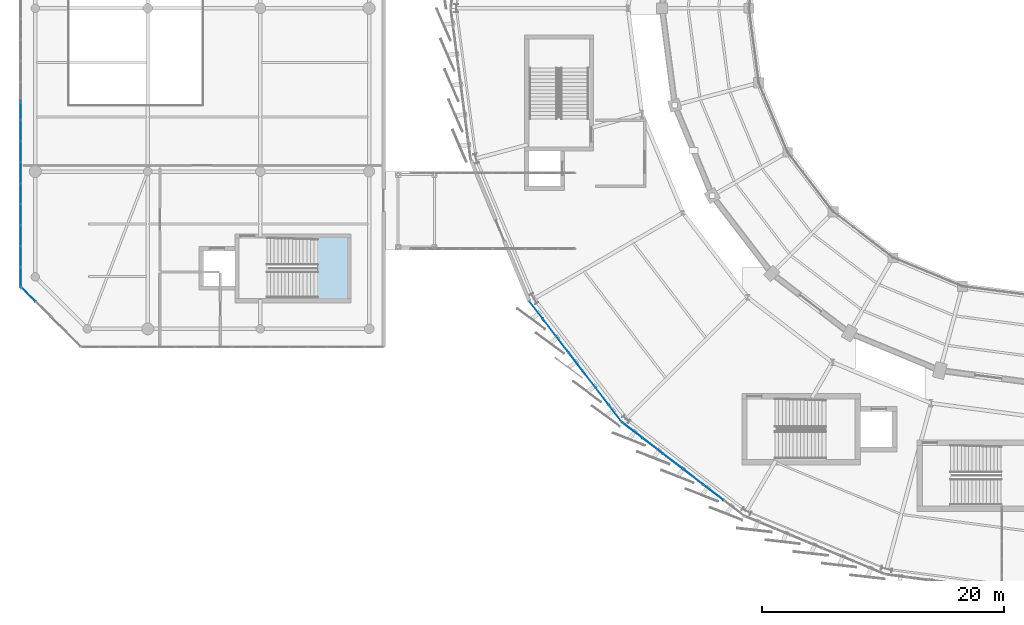
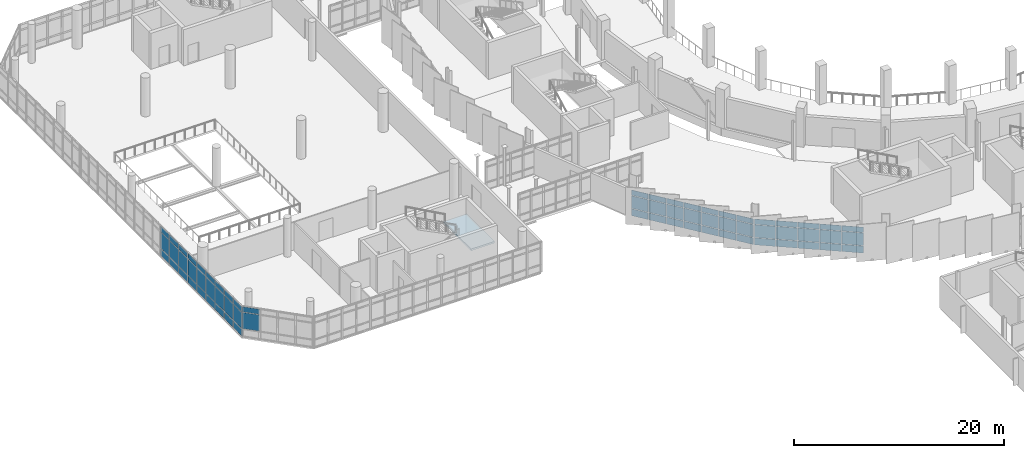
# One storey, part 80 of 125: 65 plates, 1 slab, 5 elements without a shape of their own.
"""IFC4 building model written with IfcOpenShell, lengths in metres."""

from ifc_helpers import new_model, si_unit, direction, frame, origin, origin_2d, place, context, subcontext, project, spatial, polyline, rectangle, outline, extrude, material, layer, layer_set, type_object, element, aggregate, save


model = new_model("IFC4")

# Units and contexts
model_context = context("Model", 3, precision=1e-05, world=origin(), true_north=direction((0.0, 1.0)))
body_context = subcontext(model_context, "Body", "Model", "MODEL_VIEW")
ifc_project = project(units=[si_unit("LENGTHUNIT", "METRE"), si_unit("AREAUNIT", "SQUARE_METRE"), si_unit("VOLUMEUNIT", "CUBIC_METRE"), si_unit("PLANEANGLEUNIT", "RADIAN"), si_unit("MASSUNIT", "GRAM", prefix="KILO")], contexts=[model_context])

# Site, building, storey
site_placement = place(None, origin())
site = spatial("IfcSite", under=ifc_project, at=site_placement, CompositionType="ELEMENT")
building_placement = place(site_placement, origin())
building = spatial("IfcBuilding", under=site, at=building_placement, Name="Sohan Crest Arena", CompositionType="ELEMENT")
storey_placement = place(building_placement, frame((0.0, 0.0, 9.0)))
storey = spatial("IfcBuildingStorey", under=building, at=storey_placement, Name="L02", CompositionType="ELEMENT", Elevation=9.0)

# Curtain wall, plates
ifc_material_1 = material(Name="Thermally broken anodised aluminium", Category="aluminium")
ifc_layer_1 = layer(ifc_material_1, 0.219970703125, Name="Thermally broken anodised aluminium")
ifc_layer_set_1 = layer_set([ifc_layer_1], Name="Thermally broken anodised aluminium")
curtain_wall_type_1 = type_object("IfcCurtainWallType", Name="ARC-CW03", PredefinedType="NOTDEFINED", material=ifc_layer_set_1)
curtain_wall_1_placement = place(storey_placement, origin())
curtain_wall_1 = element("IfcCurtainWall", 1, at=curtain_wall_1_placement, inside=storey, type_object=curtain_wall_type_1, Name="Unitised curtain wall CW-056", PredefinedType="NOTDEFINED")
ifc_material_2 = material(Name="Low-E double-glazed insulated glass", Category="glass")
ifc_layer_2 = layer(ifc_material_2, 0.028076171875, Name="Low-E double-glazed insulated glass")
ifc_layer_set_2 = layer_set([ifc_layer_2], Name="Low-E double-glazed insulated glass")
plate_type_1 = type_object("IfcPlateType", Name="ARC-CNP01", PredefinedType="CURTAIN_PANEL", material=ifc_layer_set_2)
plate_1_placement = place(storey_placement, frame((56.60009765625, 53.04638671875, 0.070068359375), z_axis=(0.0, 0.0, 1.0), x_axis=(0.60879332716, -0.79332886296, 0.0)))
plate_1 = element("IfcPlate", 2, at=plate_1_placement, type_object=plate_type_1, Name="CW-056 panel 1.1", PredefinedType="CURTAIN_PANEL", context=body_context, shape_type="SweptSolid", body=[
    extrude(rectangle(XDim=1.716796875, YDim=0.028076171875, at=origin_2d()), origin(), (0.0, 0.0, 1.0), 0.794921875),
])
plate_2_placement = place(storey_placement, frame((56.60009765625, 53.04638671875, 0.93505859375), z_axis=(0.0, 0.0, 1.0), x_axis=(0.60879332716, -0.79332886296, 0.0)))
plate_2 = element("IfcPlate", 3, at=plate_2_placement, type_object=plate_type_1, Name="CW-056 panel 1.2", PredefinedType="CURTAIN_PANEL", context=body_context, shape_type="SweptSolid", body=[
    extrude(rectangle(XDim=1.716796875, YDim=0.028076171875, at=origin_2d()), origin(), (0.0, 0.0, 1.0), 1.449951171875),
])
plate_3_placement = place(storey_placement, frame((56.60009765625, 53.04638671875, 2.455078125), z_axis=(0.0, 0.0, 1.0), x_axis=(0.60879332716, -0.79332886296, 0.0)))
plate_3 = element("IfcPlate", 4, at=plate_3_placement, type_object=plate_type_1, Name="CW-056 panel 1.3", PredefinedType="CURTAIN_PANEL", context=body_context, shape_type="SweptSolid", body=[
    extrude(rectangle(XDim=1.716796875, YDim=0.028076171875, at=origin_2d()), origin(), (0.0, 0.0, 1.0), 0.594970703125),
])
plate_4_placement = place(storey_placement, frame((57.69091796875, 51.624755859375, 0.070068359375), z_axis=(0.0, 0.0, 1.0), x_axis=(0.60879332716, -0.79332886296, 0.0)))
plate_4 = element("IfcPlate", 5, at=plate_4_placement, type_object=plate_type_1, Name="CW-056 panel 2.1", PredefinedType="CURTAIN_PANEL", context=body_context, shape_type="SweptSolid", body=[
    extrude(rectangle(XDim=1.746826171875, YDim=0.028076171875, at=origin_2d()), origin(), (0.0, 0.0, 1.0), 0.794921875),
])
plate_5_placement = place(storey_placement, frame((57.69091796875, 51.624755859375, 0.93505859375), z_axis=(0.0, 0.0, 1.0), x_axis=(0.60879332716, -0.79332886296, 0.0)))
plate_5 = element("IfcPlate", 6, at=plate_5_placement, type_object=plate_type_1, Name="CW-056 panel 2.2", PredefinedType="CURTAIN_PANEL", context=body_context, shape_type="SweptSolid", body=[
    extrude(rectangle(XDim=1.746826171875, YDim=0.028076171875, at=origin_2d()), origin(), (0.0, 0.0, 1.0), 1.449951171875),
])
plate_6_placement = place(storey_placement, frame((57.69091796875, 51.624755859375, 2.455078125), z_axis=(0.0, 0.0, 1.0), x_axis=(0.60879332716, -0.79332886296, 0.0)))
plate_6 = element("IfcPlate", 7, at=plate_6_placement, type_object=plate_type_1, Name="CW-056 panel 2.3", PredefinedType="CURTAIN_PANEL", context=body_context, shape_type="SweptSolid", body=[
    extrude(rectangle(XDim=1.746826171875, YDim=0.028076171875, at=origin_2d()), origin(), (0.0, 0.0, 1.0), 0.594970703125),
])
plate_7_placement = place(storey_placement, frame((58.791015625, 50.19140625, 0.070068359375), z_axis=(0.0, 0.0, 1.0), x_axis=(0.60879332716, -0.79332886296, 0.0)))
plate_7 = element("IfcPlate", 8, at=plate_7_placement, type_object=plate_type_1, Name="CW-056 panel 3.1", PredefinedType="CURTAIN_PANEL", context=body_context, shape_type="SweptSolid", body=[
    extrude(rectangle(XDim=1.746826171875, YDim=0.028076171875, at=origin_2d()), origin(), (0.0, 0.0, 1.0), 0.794921875),
])
plate_8_placement = place(storey_placement, frame((58.791015625, 50.19140625, 0.93505859375), z_axis=(0.0, 0.0, 1.0), x_axis=(0.60879332716, -0.79332886296, 0.0)))
plate_8 = element("IfcPlate", 9, at=plate_8_placement, type_object=plate_type_1, Name="CW-056 panel 3.2", PredefinedType="CURTAIN_PANEL", context=body_context, shape_type="SweptSolid", body=[
    extrude(rectangle(XDim=1.746826171875, YDim=0.028076171875, at=origin_2d()), origin(), (0.0, 0.0, 1.0), 1.449951171875),
])
plate_9_placement = place(storey_placement, frame((58.791015625, 50.19140625, 2.455078125), z_axis=(0.0, 0.0, 1.0), x_axis=(0.60879332716, -0.79332886296, 0.0)))
plate_9 = element("IfcPlate", 10, at=plate_9_placement, type_object=plate_type_1, Name="CW-056 panel 3.3", PredefinedType="CURTAIN_PANEL", context=body_context, shape_type="SweptSolid", body=[
    extrude(rectangle(XDim=1.746826171875, YDim=0.028076171875, at=origin_2d()), origin(), (0.0, 0.0, 1.0), 0.594970703125),
])
plate_10_placement = place(storey_placement, frame((59.89111328125, 48.758056640625, 0.070068359375), z_axis=(0.0, 0.0, 1.0), x_axis=(0.60879332716, -0.79332886296, 0.0)))
plate_10 = element("IfcPlate", 11, at=plate_10_placement, type_object=plate_type_1, Name="CW-056 panel 4.1", PredefinedType="CURTAIN_PANEL", context=body_context, shape_type="SweptSolid", body=[
    extrude(rectangle(XDim=1.746826171875, YDim=0.028076171875, at=origin_2d()), origin(), (0.0, 0.0, 1.0), 0.794921875),
])
plate_11_placement = place(storey_placement, frame((59.89111328125, 48.758056640625, 0.93505859375), z_axis=(0.0, 0.0, 1.0), x_axis=(0.60879332716, -0.79332886296, 0.0)))
plate_11 = element("IfcPlate", 12, at=plate_11_placement, type_object=plate_type_1, Name="CW-056 panel 4.2", PredefinedType="CURTAIN_PANEL", context=body_context, shape_type="SweptSolid", body=[
    extrude(rectangle(XDim=1.746826171875, YDim=0.028076171875, at=origin_2d()), origin(), (0.0, 0.0, 1.0), 1.449951171875),
])
plate_12_placement = place(storey_placement, frame((59.89111328125, 48.758056640625, 2.455078125), z_axis=(0.0, 0.0, 1.0), x_axis=(0.60879332716, -0.79332886296, 0.0)))
plate_12 = element("IfcPlate", 13, at=plate_12_placement, type_object=plate_type_1, Name="CW-056 panel 4.3", PredefinedType="CURTAIN_PANEL", context=body_context, shape_type="SweptSolid", body=[
    extrude(rectangle(XDim=1.746826171875, YDim=0.028076171875, at=origin_2d()), origin(), (0.0, 0.0, 1.0), 0.594970703125),
])
plate_13_placement = place(storey_placement, frame((60.990966796875, 47.324462890625, 0.070068359375), z_axis=(0.0, 0.0, 1.0), x_axis=(0.60879332716, -0.79332886296, 0.0)))
plate_13 = element("IfcPlate", 14, at=plate_13_placement, type_object=plate_type_1, Name="CW-056 panel 5.1", PredefinedType="CURTAIN_PANEL", context=body_context, shape_type="SweptSolid", body=[
    extrude(rectangle(XDim=1.746826171875, YDim=0.028076171875, at=origin_2d()), origin(), (0.0, 0.0, 1.0), 0.794921875),
])
plate_14_placement = place(storey_placement, frame((60.990966796875, 47.324462890625, 0.93505859375), z_axis=(0.0, 0.0, 1.0), x_axis=(0.60879332716, -0.79332886296, 0.0)))
plate_14 = element("IfcPlate", 15, at=plate_14_placement, type_object=plate_type_1, Name="CW-056 panel 5.2", PredefinedType="CURTAIN_PANEL", context=body_context, shape_type="SweptSolid", body=[
    extrude(rectangle(XDim=1.746826171875, YDim=0.028076171875, at=origin_2d()), origin(), (0.0, 0.0, 1.0), 1.449951171875),
])
plate_15_placement = place(storey_placement, frame((60.990966796875, 47.324462890625, 2.455078125), z_axis=(0.0, 0.0, 1.0), x_axis=(0.60879332716, -0.79332886296, 0.0)))
plate_15 = element("IfcPlate", 16, at=plate_15_placement, type_object=plate_type_1, Name="CW-056 panel 5.3", PredefinedType="CURTAIN_PANEL", context=body_context, shape_type="SweptSolid", body=[
    extrude(rectangle(XDim=1.746826171875, YDim=0.028076171875, at=origin_2d()), origin(), (0.0, 0.0, 1.0), 0.594970703125),
])
plate_16_placement = place(storey_placement, frame((62.091064453125, 45.89111328125, 0.070068359375), z_axis=(0.0, 0.0, 1.0), x_axis=(0.60879332716, -0.79332886296, 0.0)))
plate_16 = element("IfcPlate", 17, at=plate_16_placement, type_object=plate_type_1, Name="CW-056 panel 6.1", PredefinedType="CURTAIN_PANEL", context=body_context, shape_type="SweptSolid", body=[
    extrude(rectangle(XDim=1.746826171875, YDim=0.028076171875, at=origin_2d()), origin(), (0.0, 0.0, 1.0), 0.794921875),
])
plate_17_placement = place(storey_placement, frame((62.091064453125, 45.89111328125, 0.93505859375), z_axis=(0.0, 0.0, 1.0), x_axis=(0.60879332716, -0.79332886296, 0.0)))
plate_17 = element("IfcPlate", 18, at=plate_17_placement, type_object=plate_type_1, Name="CW-056 panel 6.2", PredefinedType="CURTAIN_PANEL", context=body_context, shape_type="SweptSolid", body=[
    extrude(rectangle(XDim=1.746826171875, YDim=0.028076171875, at=origin_2d()), origin(), (0.0, 0.0, 1.0), 1.449951171875),
])
plate_18_placement = place(storey_placement, frame((62.091064453125, 45.89111328125, 2.455078125), z_axis=(0.0, 0.0, 1.0), x_axis=(0.60879332716, -0.79332886296, 0.0)))
plate_18 = element("IfcPlate", 19, at=plate_18_placement, type_object=plate_type_1, Name="CW-056 panel 6.3", PredefinedType="CURTAIN_PANEL", context=body_context, shape_type="SweptSolid", body=[
    extrude(rectangle(XDim=1.746826171875, YDim=0.028076171875, at=origin_2d()), origin(), (0.0, 0.0, 1.0), 0.594970703125),
])
plate_19_placement = place(storey_placement, frame((63.181884765625, 44.4697265625, 0.070068359375), z_axis=(0.0, 0.0, 1.0), x_axis=(0.60879332716, -0.79332886296, 0.0)))
plate_19 = element("IfcPlate", 20, at=plate_19_placement, type_object=plate_type_1, Name="CW-056 panel 7.1", PredefinedType="CURTAIN_PANEL", context=body_context, shape_type="SweptSolid", body=[
    extrude(rectangle(XDim=1.716796875, YDim=0.028076171875, at=origin_2d()), origin(), (0.0, 0.0, 1.0), 0.794921875),
])
plate_20_placement = place(storey_placement, frame((63.181884765625, 44.4697265625, 0.93505859375), z_axis=(0.0, 0.0, 1.0), x_axis=(0.60879332716, -0.79332886296, 0.0)))
plate_20 = element("IfcPlate", 21, at=plate_20_placement, type_object=plate_type_1, Name="CW-056 panel 7.2", PredefinedType="CURTAIN_PANEL", context=body_context, shape_type="SweptSolid", body=[
    extrude(rectangle(XDim=1.716796875, YDim=0.028076171875, at=origin_2d()), origin(), (0.0, 0.0, 1.0), 1.449951171875),
])
plate_21_placement = place(storey_placement, frame((63.181884765625, 44.4697265625, 2.455078125), z_axis=(0.0, 0.0, 1.0), x_axis=(0.60879332716, -0.79332886296, 0.0)))
plate_21 = element("IfcPlate", 22, at=plate_21_placement, type_object=plate_type_1, Name="CW-056 panel 7.3", PredefinedType="CURTAIN_PANEL", context=body_context, shape_type="SweptSolid", body=[
    extrude(rectangle(XDim=1.716796875, YDim=0.028076171875, at=origin_2d()), origin(), (0.0, 0.0, 1.0), 0.594970703125),
])
aggregate(curtain_wall_1, [plate_1, plate_2, plate_3, plate_4, plate_5, plate_6, plate_7, plate_8, plate_9, plate_10, plate_11, plate_12, plate_13, plate_14, plate_15, plate_16, plate_17, plate_18, plate_19, plate_20, plate_21])

curtain_wall_2_placement = place(storey_placement, origin())
curtain_wall_2 = element("IfcCurtainWall", 23, at=curtain_wall_2_placement, inside=storey, type_object=curtain_wall_type_1, Name="Unitised curtain wall CW-218", PredefinedType="NOTDEFINED")
plate_22_placement = place(storey_placement, frame((14.0, 69.596923828125, 0.06494140625), z_axis=(0.0, 0.0, 1.0), x_axis=(0.0, -1.0, 0.0)))
plate_22 = element("IfcPlate", 24, at=plate_22_placement, type_object=plate_type_1, Name="CW-218 panel 1.1", PredefinedType="CURTAIN_PANEL", context=body_context, shape_type="SweptSolid", body=[
    extrude(rectangle(XDim=1.632080078125, YDim=0.028076171875, at=origin_2d()), origin(), (0.0, 0.0, 1.0), 0.802490234375),
])
plate_23_placement = place(storey_placement, frame((14.0, 69.596923828125, 0.9326171875), z_axis=(0.0, 0.0, 1.0), x_axis=(0.0, -1.0, 0.0)))
plate_23 = element("IfcPlate", 25, at=plate_23_placement, type_object=plate_type_1, Name="CW-218 panel 1.2", PredefinedType="CURTAIN_PANEL", context=body_context, shape_type="SweptSolid", body=[
    extrude(rectangle(XDim=1.632080078125, YDim=0.028076171875, at=origin_2d()), origin(), (0.0, 0.0, 1.0), 1.885009765625),
])
plate_24_placement = place(storey_placement, frame((14.0, 69.596923828125, 2.882568359375), z_axis=(0.0, 0.0, 1.0), x_axis=(0.0, -1.0, 0.0)))
plate_24 = element("IfcPlate", 26, at=plate_24_placement, type_object=plate_type_1, Name="CW-218 panel 1.3", PredefinedType="CURTAIN_PANEL", context=body_context, shape_type="SweptSolid", body=[
    extrude(rectangle(XDim=1.632080078125, YDim=0.028076171875, at=origin_2d()), origin(), (0.0, 0.0, 1.0), 0.6025390625),
])
plate_25_placement = place(storey_placement, frame((14.0, 67.87744140625, 0.06494140625), z_axis=(0.0, 0.0, 1.0), x_axis=(0.0, -1.0, 0.0)))
plate_25 = element("IfcPlate", 27, at=plate_25_placement, type_object=plate_type_1, Name="CW-218 panel 2.1", PredefinedType="CURTAIN_PANEL", context=body_context, shape_type="SweptSolid", body=[
    extrude(rectangle(XDim=1.6669921875, YDim=0.028076171875, at=origin_2d()), origin(), (0.0, 0.0, 1.0), 0.802490234375),
])
plate_26_placement = place(storey_placement, frame((14.0, 67.87744140625, 0.9326171875), z_axis=(0.0, 0.0, 1.0), x_axis=(0.0, -1.0, 0.0)))
plate_26 = element("IfcPlate", 28, at=plate_26_placement, type_object=plate_type_1, Name="CW-218 panel 2.2", PredefinedType="CURTAIN_PANEL", context=body_context, shape_type="SweptSolid", body=[
    extrude(rectangle(XDim=1.6669921875, YDim=0.028076171875, at=origin_2d()), origin(), (0.0, 0.0, 1.0), 1.885009765625),
])
plate_27_placement = place(storey_placement, frame((14.0, 67.87744140625, 2.882568359375), z_axis=(0.0, 0.0, 1.0), x_axis=(0.0, -1.0, 0.0)))
plate_27 = element("IfcPlate", 29, at=plate_27_placement, type_object=plate_type_1, Name="CW-218 panel 2.3", PredefinedType="CURTAIN_PANEL", context=body_context, shape_type="SweptSolid", body=[
    extrude(rectangle(XDim=1.6669921875, YDim=0.028076171875, at=origin_2d()), origin(), (0.0, 0.0, 1.0), 0.6025390625),
])
plate_28_placement = place(storey_placement, frame((14.0, 66.140380859375, 0.06494140625), z_axis=(0.0, 0.0, 1.0), x_axis=(0.0, -1.0, 0.0)))
plate_28 = element("IfcPlate", 30, at=plate_28_placement, type_object=plate_type_1, Name="CW-218 panel 3.1", PredefinedType="CURTAIN_PANEL", context=body_context, shape_type="SweptSolid", body=[
    extrude(rectangle(XDim=1.6669921875, YDim=0.028076171875, at=origin_2d()), origin(), (0.0, 0.0, 1.0), 0.802490234375),
])
plate_29_placement = place(storey_placement, frame((14.0, 66.140380859375, 0.9326171875), z_axis=(0.0, 0.0, 1.0), x_axis=(0.0, -1.0, 0.0)))
plate_29 = element("IfcPlate", 31, at=plate_29_placement, type_object=plate_type_1, Name="CW-218 panel 3.2", PredefinedType="CURTAIN_PANEL", context=body_context, shape_type="SweptSolid", body=[
    extrude(rectangle(XDim=1.6669921875, YDim=0.028076171875, at=origin_2d()), origin(), (0.0, 0.0, 1.0), 1.885009765625),
])
plate_30_placement = place(storey_placement, frame((14.0, 66.140380859375, 2.882568359375), z_axis=(0.0, 0.0, 1.0), x_axis=(0.0, -1.0, 0.0)))
plate_30 = element("IfcPlate", 32, at=plate_30_placement, type_object=plate_type_1, Name="CW-218 panel 3.3", PredefinedType="CURTAIN_PANEL", context=body_context, shape_type="SweptSolid", body=[
    extrude(rectangle(XDim=1.6669921875, YDim=0.028076171875, at=origin_2d()), origin(), (0.0, 0.0, 1.0), 0.6025390625),
])
plate_31_placement = place(storey_placement, frame((14.0, 64.403564453125, 0.06494140625), z_axis=(0.0, 0.0, 1.0), x_axis=(0.0, -1.0, 0.0)))
plate_31 = element("IfcPlate", 33, at=plate_31_placement, type_object=plate_type_1, Name="CW-218 panel 4.1", PredefinedType="CURTAIN_PANEL", context=body_context, shape_type="SweptSolid", body=[
    extrude(rectangle(XDim=1.6669921875, YDim=0.028076171875, at=origin_2d()), origin(), (0.0, 0.0, 1.0), 0.802490234375),
])
plate_32_placement = place(storey_placement, frame((14.0, 64.403564453125, 0.9326171875), z_axis=(0.0, 0.0, 1.0), x_axis=(0.0, -1.0, 0.0)))
plate_32 = element("IfcPlate", 34, at=plate_32_placement, type_object=plate_type_1, Name="CW-218 panel 4.2", PredefinedType="CURTAIN_PANEL", context=body_context, shape_type="SweptSolid", body=[
    extrude(rectangle(XDim=1.6669921875, YDim=0.028076171875, at=origin_2d()), origin(), (0.0, 0.0, 1.0), 1.885009765625),
])
plate_33_placement = place(storey_placement, frame((14.0, 64.403564453125, 2.882568359375), z_axis=(0.0, 0.0, 1.0), x_axis=(0.0, -1.0, 0.0)))
plate_33 = element("IfcPlate", 35, at=plate_33_placement, type_object=plate_type_1, Name="CW-218 panel 4.3", PredefinedType="CURTAIN_PANEL", context=body_context, shape_type="SweptSolid", body=[
    extrude(rectangle(XDim=1.6669921875, YDim=0.028076171875, at=origin_2d()), origin(), (0.0, 0.0, 1.0), 0.6025390625),
])
plate_34_placement = place(storey_placement, frame((14.0, 62.66650390625, 0.06494140625), z_axis=(0.0, 0.0, 1.0), x_axis=(0.0, -1.0, 0.0)))
plate_34 = element("IfcPlate", 36, at=plate_34_placement, type_object=plate_type_1, Name="CW-218 panel 5.1", PredefinedType="CURTAIN_PANEL", context=body_context, shape_type="SweptSolid", body=[
    extrude(rectangle(XDim=1.6669921875, YDim=0.028076171875, at=origin_2d()), origin(), (0.0, 0.0, 1.0), 0.802490234375),
])
plate_35_placement = place(storey_placement, frame((14.0, 62.66650390625, 0.9326171875), z_axis=(0.0, 0.0, 1.0), x_axis=(0.0, -1.0, 0.0)))
plate_35 = element("IfcPlate", 37, at=plate_35_placement, type_object=plate_type_1, Name="CW-218 panel 5.2", PredefinedType="CURTAIN_PANEL", context=body_context, shape_type="SweptSolid", body=[
    extrude(rectangle(XDim=1.6669921875, YDim=0.028076171875, at=origin_2d()), origin(), (0.0, 0.0, 1.0), 1.885009765625),
])
plate_36_placement = place(storey_placement, frame((14.0, 62.66650390625, 2.882568359375), z_axis=(0.0, 0.0, 1.0), x_axis=(0.0, -1.0, 0.0)))
plate_36 = element("IfcPlate", 38, at=plate_36_placement, type_object=plate_type_1, Name="CW-218 panel 5.3", PredefinedType="CURTAIN_PANEL", context=body_context, shape_type="SweptSolid", body=[
    extrude(rectangle(XDim=1.6669921875, YDim=0.028076171875, at=origin_2d()), origin(), (0.0, 0.0, 1.0), 0.6025390625),
])
plate_37_placement = place(storey_placement, frame((14.0, 60.929443359375, 0.06494140625), z_axis=(0.0, 0.0, 1.0), x_axis=(0.0, -1.0, 0.0)))
plate_37 = element("IfcPlate", 39, at=plate_37_placement, type_object=plate_type_1, Name="CW-218 panel 6.1", PredefinedType="CURTAIN_PANEL", context=body_context, shape_type="SweptSolid", body=[
    extrude(rectangle(XDim=1.6669921875, YDim=0.028076171875, at=origin_2d()), origin(), (0.0, 0.0, 1.0), 0.802490234375),
])
plate_38_placement = place(storey_placement, frame((14.0, 60.929443359375, 0.9326171875), z_axis=(0.0, 0.0, 1.0), x_axis=(0.0, -1.0, 0.0)))
plate_38 = element("IfcPlate", 40, at=plate_38_placement, type_object=plate_type_1, Name="CW-218 panel 6.2", PredefinedType="CURTAIN_PANEL", context=body_context, shape_type="SweptSolid", body=[
    extrude(rectangle(XDim=1.6669921875, YDim=0.028076171875, at=origin_2d()), origin(), (0.0, 0.0, 1.0), 1.885009765625),
])
plate_39_placement = place(storey_placement, frame((14.0, 60.929443359375, 2.882568359375), z_axis=(0.0, 0.0, 1.0), x_axis=(0.0, -1.0, 0.0)))
plate_39 = element("IfcPlate", 41, at=plate_39_placement, type_object=plate_type_1, Name="CW-218 panel 6.3", PredefinedType="CURTAIN_PANEL", context=body_context, shape_type="SweptSolid", body=[
    extrude(rectangle(XDim=1.6669921875, YDim=0.028076171875, at=origin_2d()), origin(), (0.0, 0.0, 1.0), 0.6025390625),
])
plate_40_placement = place(storey_placement, frame((14.0, 59.1923828125, 0.06494140625), z_axis=(0.0, 0.0, 1.0), x_axis=(0.0, -1.0, 0.0)))
plate_40 = element("IfcPlate", 42, at=plate_40_placement, type_object=plate_type_1, Name="CW-218 panel 7.1", PredefinedType="CURTAIN_PANEL", context=body_context, shape_type="SweptSolid", body=[
    extrude(rectangle(XDim=1.6669921875, YDim=0.028076171875, at=origin_2d()), origin(), (0.0, 0.0, 1.0), 0.802490234375),
])
plate_41_placement = place(storey_placement, frame((14.0, 59.1923828125, 0.9326171875), z_axis=(0.0, 0.0, 1.0), x_axis=(0.0, -1.0, 0.0)))
plate_41 = element("IfcPlate", 43, at=plate_41_placement, type_object=plate_type_1, Name="CW-218 panel 7.2", PredefinedType="CURTAIN_PANEL", context=body_context, shape_type="SweptSolid", body=[
    extrude(rectangle(XDim=1.6669921875, YDim=0.028076171875, at=origin_2d()), origin(), (0.0, 0.0, 1.0), 1.885009765625),
])
plate_42_placement = place(storey_placement, frame((14.0, 59.1923828125, 2.882568359375), z_axis=(0.0, 0.0, 1.0), x_axis=(0.0, -1.0, 0.0)))
plate_42 = element("IfcPlate", 44, at=plate_42_placement, type_object=plate_type_1, Name="CW-218 panel 7.3", PredefinedType="CURTAIN_PANEL", context=body_context, shape_type="SweptSolid", body=[
    extrude(rectangle(XDim=1.6669921875, YDim=0.028076171875, at=origin_2d()), origin(), (0.0, 0.0, 1.0), 0.6025390625),
])
plate_43_placement = place(storey_placement, frame((14.0, 57.45556640625, 0.06494140625), z_axis=(0.0, 0.0, 1.0), x_axis=(0.0, -1.0, 0.0)))
plate_43 = element("IfcPlate", 45, at=plate_43_placement, type_object=plate_type_1, Name="CW-218 panel 8.1", PredefinedType="CURTAIN_PANEL", context=body_context, shape_type="SweptSolid", body=[
    extrude(rectangle(XDim=1.6669921875, YDim=0.028076171875, at=origin_2d()), origin(), (0.0, 0.0, 1.0), 0.802490234375),
])
plate_44_placement = place(storey_placement, frame((14.0, 57.45556640625, 0.9326171875), z_axis=(0.0, 0.0, 1.0), x_axis=(0.0, -1.0, 0.0)))
plate_44 = element("IfcPlate", 46, at=plate_44_placement, type_object=plate_type_1, Name="CW-218 panel 8.2", PredefinedType="CURTAIN_PANEL", context=body_context, shape_type="SweptSolid", body=[
    extrude(rectangle(XDim=1.6669921875, YDim=0.028076171875, at=origin_2d()), origin(), (0.0, 0.0, 1.0), 1.885009765625),
])
plate_45_placement = place(storey_placement, frame((14.0, 57.45556640625, 2.882568359375), z_axis=(0.0, 0.0, 1.0), x_axis=(0.0, -1.0, 0.0)))
plate_45 = element("IfcPlate", 47, at=plate_45_placement, type_object=plate_type_1, Name="CW-218 panel 8.3", PredefinedType="CURTAIN_PANEL", context=body_context, shape_type="SweptSolid", body=[
    extrude(rectangle(XDim=1.6669921875, YDim=0.028076171875, at=origin_2d()), origin(), (0.0, 0.0, 1.0), 0.6025390625),
])
plate_46_placement = place(storey_placement, frame((14.0, 55.736083984375, 0.06494140625), z_axis=(0.0, 0.0, 1.0), x_axis=(0.0, -1.0, 0.0)))
plate_46 = element("IfcPlate", 48, at=plate_46_placement, type_object=plate_type_1, Name="CW-218 panel 9.1", PredefinedType="CURTAIN_PANEL", context=body_context, shape_type="SweptSolid", body=[
    extrude(rectangle(XDim=1.632080078125, YDim=0.028076171875, at=origin_2d()), origin(), (0.0, 0.0, 1.0), 0.802490234375),
])
plate_47_placement = place(storey_placement, frame((14.0, 55.736083984375, 0.9326171875), z_axis=(0.0, 0.0, 1.0), x_axis=(0.0, -1.0, 0.0)))
plate_47 = element("IfcPlate", 49, at=plate_47_placement, type_object=plate_type_1, Name="CW-218 panel 9.2", PredefinedType="CURTAIN_PANEL", context=body_context, shape_type="SweptSolid", body=[
    extrude(rectangle(XDim=1.632080078125, YDim=0.028076171875, at=origin_2d()), origin(), (0.0, 0.0, 1.0), 1.885009765625),
])
plate_48_placement = place(storey_placement, frame((14.0, 55.736083984375, 2.882568359375), z_axis=(0.0, 0.0, 1.0), x_axis=(0.0, -1.0, 0.0)))
plate_48 = element("IfcPlate", 50, at=plate_48_placement, type_object=plate_type_1, Name="CW-218 panel 9.3", PredefinedType="CURTAIN_PANEL", context=body_context, shape_type="SweptSolid", body=[
    extrude(rectangle(XDim=1.632080078125, YDim=0.028076171875, at=origin_2d()), origin(), (0.0, 0.0, 1.0), 0.6025390625),
])
aggregate(curtain_wall_2, [plate_22, plate_23, plate_24, plate_25, plate_26, plate_27, plate_28, plate_29, plate_30, plate_31, plate_32, plate_33, plate_34, plate_35, plate_36, plate_37, plate_38, plate_39, plate_40, plate_41, plate_42, plate_43, plate_44, plate_45, plate_46, plate_47, plate_48])

ifc_layer_3 = layer(ifc_material_1, 0.199951171875, Name="Thermally broken anodised aluminium")
ifc_layer_set_3 = layer_set([ifc_layer_3], Name="Thermally broken anodised aluminium")
curtain_wall_type_2 = type_object("IfcCurtainWallType", Name="ARC-CW02", PredefinedType="NOTDEFINED", material=ifc_layer_set_3)
curtain_wall_3_placement = place(storey_placement, origin())
curtain_wall_3 = element("IfcCurtainWall", 51, at=curtain_wall_3_placement, inside=storey, type_object=curtain_wall_type_2, Name="Unitised curtain wall CW-219", PredefinedType="NOTDEFINED")
plate_49_placement = place(storey_placement, frame((14.636474609375, 54.363525390625, 0.93017578125), z_axis=(0.0, 0.0, 1.0), x_axis=(0.707106781187, -0.707106781187, 0.0)))
plate_49 = element("IfcPlate", 52, at=plate_49_placement, type_object=plate_type_1, Name="CW-219 panel 1.2", PredefinedType="CURTAIN_PANEL", context=body_context, shape_type="SweptSolid", body=[
    extrude(rectangle(XDim=1.670166015625, YDim=0.028076171875, at=origin_2d()), origin(), (0.0, 0.0, 1.0), 1.889892578125),
])
plate_50_placement = place(storey_placement, frame((14.636474609375, 54.363525390625, 2.8798828125), z_axis=(0.0, 0.0, 1.0), x_axis=(0.707106781187, -0.707106781187, 0.0)))
plate_50 = element("IfcPlate", 53, at=plate_50_placement, type_object=plate_type_1, Name="CW-219 panel 1.3", PredefinedType="CURTAIN_PANEL", context=body_context, shape_type="SweptSolid", body=[
    extrude(rectangle(XDim=1.670166015625, YDim=0.028076171875, at=origin_2d()), origin(), (0.0, 0.0, 1.0), 0.610107421875),
])
aggregate(curtain_wall_3, [plate_49, plate_50])

ifc_layer_4 = layer(ifc_material_1, 0.239990234375, Name="Thermally broken anodised aluminium")
ifc_layer_set_4 = layer_set([ifc_layer_4], Name="Thermally broken anodised aluminium")
curtain_wall_type_3 = type_object("IfcCurtainWallType", Name="ARC-CW04", PredefinedType="NOTDEFINED", material=ifc_layer_set_4)
curtain_wall_4_placement = place(storey_placement, origin())
curtain_wall_4 = element("IfcCurtainWall", 54, at=curtain_wall_4_placement, inside=storey, type_object=curtain_wall_type_3, Name="Unitised curtain wall CW-057", PredefinedType="NOTDEFINED")
ifc_layer_5 = layer(ifc_material_2, 0.031982421875, Name="Low-E double-glazed insulated glass")
ifc_layer_set_5 = layer_set([ifc_layer_5], Name="Low-E double-glazed insulated glass")
plate_type_2 = type_object("IfcPlateType", Name="ARC-CNP02", PredefinedType="CURTAIN_PANEL", material=ifc_layer_set_5)
plate_51_placement = place(storey_placement, frame((64.590087890625, 43.08935546875, 0.06005859375), z_axis=(0.0, 0.0, 1.0), x_axis=(0.79332886296, -0.60879332716, 0.0)))
plate_51 = element("IfcPlate", 55, at=plate_51_placement, type_object=plate_type_2, Name="CW-057 panel 1.1", PredefinedType="CURTAIN_PANEL", context=body_context, shape_type="SweptSolid", body=[
    extrude(rectangle(XDim=2.010498046875, YDim=0.031982421875, at=origin_2d()), origin(), (0.0, 0.0, 1.0), 0.81005859375),
])
plate_52_placement = place(storey_placement, frame((64.590087890625, 43.08935546875, 0.929931640625), z_axis=(0.0, 0.0, 1.0), x_axis=(0.79332886296, -0.60879332716, 0.0)))
plate_52 = element("IfcPlate", 56, at=plate_52_placement, type_object=plate_type_2, Name="CW-057 panel 1.2", PredefinedType="CURTAIN_PANEL", context=body_context, shape_type="SweptSolid", body=[
    extrude(rectangle(XDim=2.010498046875, YDim=0.031982421875, at=origin_2d()), origin(), (0.0, 0.0, 1.0), 1.4599609375),
])
plate_53_placement = place(storey_placement, frame((64.590087890625, 43.08935546875, 2.44970703125), z_axis=(0.0, 0.0, 1.0), x_axis=(0.79332886296, -0.60879332716, 0.0)))
plate_53 = element("IfcPlate", 57, at=plate_53_placement, type_object=plate_type_2, Name="CW-057 panel 1.3", PredefinedType="CURTAIN_PANEL", context=body_context, shape_type="SweptSolid", body=[
    extrude(rectangle(XDim=2.010498046875, YDim=0.031982421875, at=origin_2d()), origin(), (0.0, 0.0, 1.0), 0.610107421875),
])
plate_54_placement = place(storey_placement, frame((66.24951171875, 41.81591796875, 0.06005859375), z_axis=(0.0, 0.0, 1.0), x_axis=(0.79332886296, -0.60879332716, 0.0)))
plate_54 = element("IfcPlate", 58, at=plate_54_placement, type_object=plate_type_2, Name="CW-057 panel 2.1", PredefinedType="CURTAIN_PANEL", context=body_context, shape_type="SweptSolid", body=[
    extrude(rectangle(XDim=2.04296875, YDim=0.031982421875, at=origin_2d()), origin(), (0.0, 0.0, 1.0), 0.81005859375),
])
plate_55_placement = place(storey_placement, frame((66.24951171875, 41.81591796875, 0.929931640625), z_axis=(0.0, 0.0, 1.0), x_axis=(0.79332886296, -0.60879332716, 0.0)))
plate_55 = element("IfcPlate", 59, at=plate_55_placement, type_object=plate_type_2, Name="CW-057 panel 2.2", PredefinedType="CURTAIN_PANEL", context=body_context, shape_type="SweptSolid", body=[
    extrude(rectangle(XDim=2.04296875, YDim=0.031982421875, at=origin_2d()), origin(), (0.0, 0.0, 1.0), 1.4599609375),
])
plate_56_placement = place(storey_placement, frame((66.24951171875, 41.81591796875, 2.44970703125), z_axis=(0.0, 0.0, 1.0), x_axis=(0.79332886296, -0.60879332716, 0.0)))
plate_56 = element("IfcPlate", 60, at=plate_56_placement, type_object=plate_type_2, Name="CW-057 panel 2.3", PredefinedType="CURTAIN_PANEL", context=body_context, shape_type="SweptSolid", body=[
    extrude(rectangle(XDim=2.04296875, YDim=0.031982421875, at=origin_2d()), origin(), (0.0, 0.0, 1.0), 0.610107421875),
])
plate_57_placement = place(storey_placement, frame((67.921875, 40.53271484375, 0.06005859375), z_axis=(0.0, 0.0, 1.0), x_axis=(0.79332886296, -0.60879332716, 0.0)))
plate_57 = element("IfcPlate", 61, at=plate_57_placement, type_object=plate_type_2, Name="CW-057 panel 3.1", PredefinedType="CURTAIN_PANEL", context=body_context, shape_type="SweptSolid", body=[
    extrude(rectangle(XDim=2.04296875, YDim=0.031982421875, at=origin_2d()), origin(), (0.0, 0.0, 1.0), 0.81005859375),
])
plate_58_placement = place(storey_placement, frame((67.921875, 40.53271484375, 0.929931640625), z_axis=(0.0, 0.0, 1.0), x_axis=(0.79332886296, -0.60879332716, 0.0)))
plate_58 = element("IfcPlate", 62, at=plate_58_placement, type_object=plate_type_2, Name="CW-057 panel 3.2", PredefinedType="CURTAIN_PANEL", context=body_context, shape_type="SweptSolid", body=[
    extrude(rectangle(XDim=2.04296875, YDim=0.031982421875, at=origin_2d()), origin(), (0.0, 0.0, 1.0), 1.4599609375),
])
plate_59_placement = place(storey_placement, frame((67.921875, 40.53271484375, 2.44970703125), z_axis=(0.0, 0.0, 1.0), x_axis=(0.79332886296, -0.60879332716, 0.0)))
plate_59 = element("IfcPlate", 63, at=plate_59_placement, type_object=plate_type_2, Name="CW-057 panel 3.3", PredefinedType="CURTAIN_PANEL", context=body_context, shape_type="SweptSolid", body=[
    extrude(rectangle(XDim=2.04296875, YDim=0.031982421875, at=origin_2d()), origin(), (0.0, 0.0, 1.0), 0.610107421875),
])
plate_60_placement = place(storey_placement, frame((69.59423828125, 39.249267578125, 0.06005859375), z_axis=(0.0, 0.0, 1.0), x_axis=(0.79332886296, -0.60879332716, 0.0)))
plate_60 = element("IfcPlate", 64, at=plate_60_placement, type_object=plate_type_2, Name="CW-057 panel 4.1", PredefinedType="CURTAIN_PANEL", context=body_context, shape_type="SweptSolid", body=[
    extrude(rectangle(XDim=2.04296875, YDim=0.031982421875, at=origin_2d()), origin(), (0.0, 0.0, 1.0), 0.81005859375),
])
plate_61_placement = place(storey_placement, frame((69.59423828125, 39.249267578125, 0.929931640625), z_axis=(0.0, 0.0, 1.0), x_axis=(0.79332886296, -0.60879332716, 0.0)))
plate_61 = element("IfcPlate", 65, at=plate_61_placement, type_object=plate_type_2, Name="CW-057 panel 4.2", PredefinedType="CURTAIN_PANEL", context=body_context, shape_type="SweptSolid", body=[
    extrude(rectangle(XDim=2.04296875, YDim=0.031982421875, at=origin_2d()), origin(), (0.0, 0.0, 1.0), 1.4599609375),
])
plate_62_placement = place(storey_placement, frame((69.59423828125, 39.249267578125, 2.44970703125), z_axis=(0.0, 0.0, 1.0), x_axis=(0.79332886296, -0.60879332716, 0.0)))
plate_62 = element("IfcPlate", 66, at=plate_62_placement, type_object=plate_type_2, Name="CW-057 panel 4.3", PredefinedType="CURTAIN_PANEL", context=body_context, shape_type="SweptSolid", body=[
    extrude(rectangle(XDim=2.04296875, YDim=0.031982421875, at=origin_2d()), origin(), (0.0, 0.0, 1.0), 0.610107421875),
])
plate_63_placement = place(storey_placement, frame((71.2666015625, 37.966064453125, 0.06005859375), z_axis=(0.0, 0.0, 1.0), x_axis=(0.79332886296, -0.60879332716, 0.0)))
plate_63 = element("IfcPlate", 67, at=plate_63_placement, type_object=plate_type_2, Name="CW-057 panel 5.1", PredefinedType="CURTAIN_PANEL", context=body_context, shape_type="SweptSolid", body=[
    extrude(rectangle(XDim=2.04296875, YDim=0.031982421875, at=origin_2d()), origin(), (0.0, 0.0, 1.0), 0.81005859375),
])
plate_64_placement = place(storey_placement, frame((71.2666015625, 37.966064453125, 0.929931640625), z_axis=(0.0, 0.0, 1.0), x_axis=(0.79332886296, -0.60879332716, 0.0)))
plate_64 = element("IfcPlate", 68, at=plate_64_placement, type_object=plate_type_2, Name="CW-057 panel 5.2", PredefinedType="CURTAIN_PANEL", context=body_context, shape_type="SweptSolid", body=[
    extrude(rectangle(XDim=2.04296875, YDim=0.031982421875, at=origin_2d()), origin(), (0.0, 0.0, 1.0), 1.4599609375),
])
plate_65_placement = place(storey_placement, frame((71.2666015625, 37.966064453125, 2.44970703125), z_axis=(0.0, 0.0, 1.0), x_axis=(0.79332886296, -0.60879332716, 0.0)))
plate_65 = element("IfcPlate", 69, at=plate_65_placement, type_object=plate_type_2, Name="CW-057 panel 5.3", PredefinedType="CURTAIN_PANEL", context=body_context, shape_type="SweptSolid", body=[
    extrude(rectangle(XDim=2.04296875, YDim=0.031982421875, at=origin_2d()), origin(), (0.0, 0.0, 1.0), 0.610107421875),
])
aggregate(curtain_wall_4, [plate_51, plate_52, plate_53, plate_54, plate_55, plate_56, plate_57, plate_58, plate_59, plate_60, plate_61, plate_62, plate_63, plate_64, plate_65])

# Stair, slab
ifc_material_3 = material(Name="Concrete C40/50", Category="concrete")
stair_type = type_object("IfcStairType", Name="ST-450W", PredefinedType="TWO_STRAIGHT_RUN_STAIR", material=ifc_material_3)
stair_placement = place(storey_placement, origin())
stair = element("IfcStair", 70, at=stair_placement, inside=storey, type_object=stair_type, Name="Protected exit stair ST13-L02", PredefinedType="TWO_STRAIGHT_RUN_STAIR")
ifc_layer_6 = layer(ifc_material_3, 0.199951171875, Name="Concrete C40/50")
ifc_layer_set_6 = layer_set([ifc_layer_6], Name="Concrete C40/50")
slab_type = type_object("IfcSlabType", Name="SL-LND1", PredefinedType="LANDING", material=ifc_layer_set_6)
slab_placement = place(storey_placement, frame((0.0, 0.0, 2.050048828125)))
slab = element("IfcSlab", 71, at=slab_placement, type_object=slab_type, Name="ST13-L02 landing 1", PredefinedType="LANDING", context=body_context, shape_type="SweptSolid", body=[
    extrude(outline(polyline([(38.530029296875, 53.85009765625), (41.10009765625, 53.85009765625), (41.10009765625, 59.14990234375), (38.530029296875, 59.14990234375), (38.530029296875, 53.85009765625)])), origin(), (0.0, 0.0, 1.0), 0.199951171875),
])
aggregate(stair, [slab])

save(model, "model.ifc")
